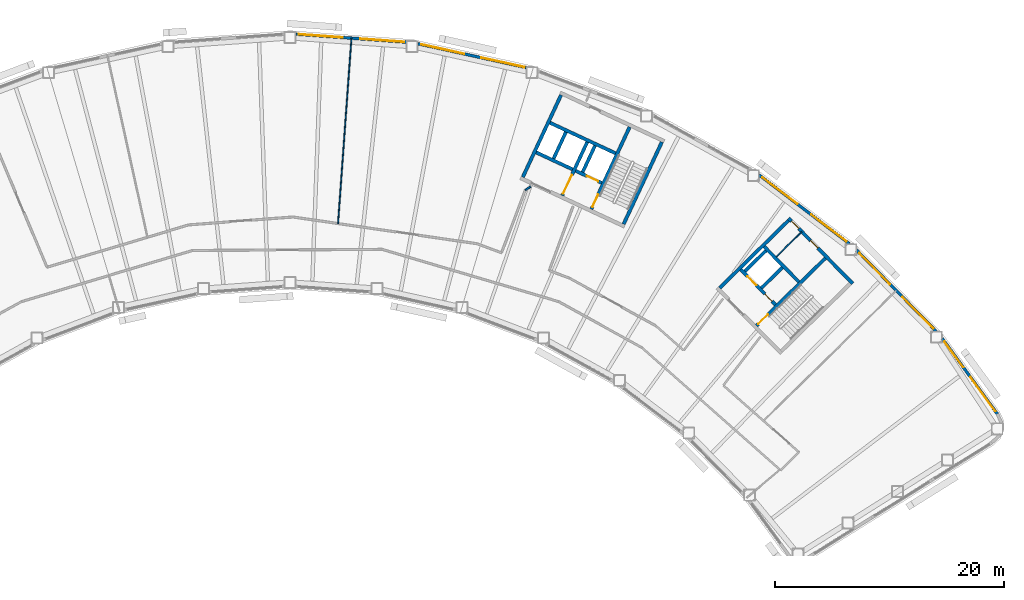
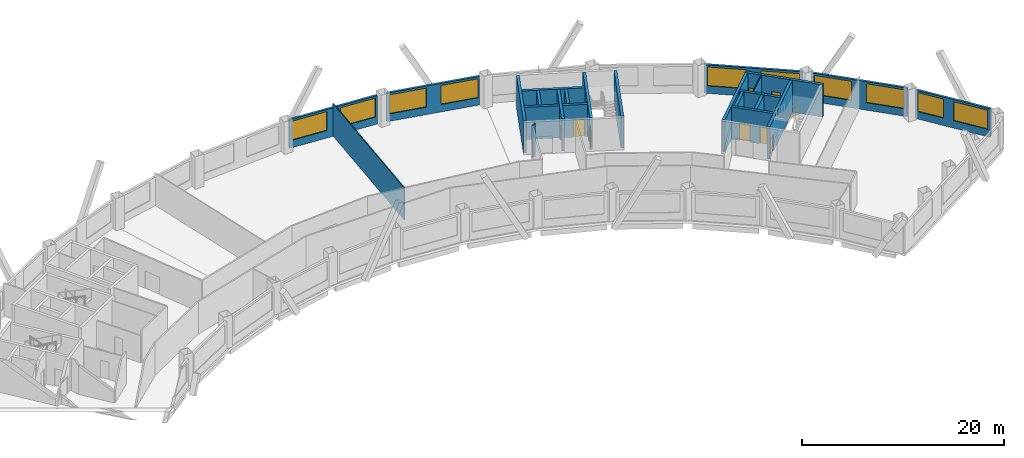
# One storey, part 7 of 11: 24 walls, 10 windows, 8 doors, 18 openings.
"""IFC4 building model written with IfcOpenShell, lengths in metres."""

from ifc_helpers import new_model, si_unit, direction, frame, frame_2d, origin, place, context, subcontext, project, spatial, rectangle, extrude, material, layer, layer_set, type_object, element, fill, save


model = new_model("IFC4")

# Units and contexts
model_context = context("Model", 3, precision=1e-05, world=origin(), true_north=direction((0.0, 1.0)))
body_context = subcontext(model_context, "Body", "Model", "MODEL_VIEW")
ifc_project = project(units=[si_unit("LENGTHUNIT", "METRE"), si_unit("AREAUNIT", "SQUARE_METRE"), si_unit("VOLUMEUNIT", "CUBIC_METRE"), si_unit("PLANEANGLEUNIT", "RADIAN"), si_unit("MASSUNIT", "GRAM", prefix="KILO")], contexts=[model_context])

# Site, building, storey
site_placement = place(None, origin())
site = spatial("IfcSite", under=ifc_project, at=site_placement, CompositionType="ELEMENT")
building_placement = place(site_placement, origin())
building = spatial("IfcBuilding", under=site, at=building_placement, Name="Tuul Gate Civic Tower", CompositionType="ELEMENT")
storey_placement = place(building_placement, frame((0.0, 0.0, 146.60009765625)))
storey = spatial("IfcBuildingStorey", under=building, at=storey_placement, Name="Level 33", CompositionType="ELEMENT", Elevation=146.60009765625)

# Wall, openings, doors
ifc_material_1 = material(Name="Concrete C50/60", Category="concrete")
ifc_layer_1 = layer(ifc_material_1, 0.300048828125)
ifc_layer_set_1 = layer_set([ifc_layer_1], Name="Concrete C50/60")
wall_type_1 = type_object("IfcWallType", Name="Core wall C50/60", PredefinedType="SHEAR", material=ifc_layer_set_1)
wall_1_placement = place(storey_placement, frame((47.701904296875, -14.079833984375, 0.0), z_axis=(0.0, 0.0, 1.0), x_axis=(-0.700002721075, 0.714140175657, 0.0)))
wall_1 = element("IfcWall", 1, at=wall_1_placement, inside=storey, type_object=wall_type_1, Name="Core wall", PredefinedType="SHEAR", context=body_context, shape_type="SweptSolid", body=[
    extrude(rectangle(XDim=4.300048828125, YDim=0.300048828125, at=frame_2d((2.14990234375, 0.0))), origin(), (0.0, 0.0, 1.0), 3.89990234375),
])
opening_1_placement = place(wall_1_placement, frame((0.425048828125, 0.0, 0.0)))
opening_1 = element("IfcOpeningElement", 2, at=opening_1_placement, cuts=wall_1, Name="Opening FB-E1A1", PredefinedType="OPENING", context=body_context, shape_type="SweptSolid", body=[
    extrude(rectangle(XDim=0.89990234375, YDim=2.10009765625, at=frame_2d((0.449951171875, 1.050048828125))), frame((0.0, 0.16015625, 0.0), z_axis=(0.0, -1.0, 0.0), x_axis=(1.0, 0.0, 0.0)), (0.0, 0.0, 1.0), 0.320068359375),
])
opening_2_placement = place(wall_1_placement, frame((2.375, 0.0, 0.0)))
opening_2 = element("IfcOpeningElement", 3, at=opening_2_placement, cuts=wall_1, Name="Opening LD-M3", PredefinedType="OPENING", context=body_context, shape_type="SweptSolid", body=[
    extrude(rectangle(XDim=1.10009765625, YDim=2.10009765625, at=frame_2d((0.550048828125, 1.050048828125))), frame((0.0, 0.16015625, 0.0), z_axis=(0.0, -1.0, 0.0), x_axis=(1.0, 0.0, 0.0)), (0.0, 0.0, 1.0), 0.320068359375),
])
ifc_material_2 = material(Name="Stainless steel", Category="steel")
door_type_1 = type_object("IfcDoorType", Name="Landing door", OperationType="DOUBLE_DOOR_SLIDING", PredefinedType="DOOR", material=ifc_material_2)
door_1_placement = place(opening_2_placement, origin())
door_1 = element("IfcDoor", 4, at=door_1_placement, inside=storey, type_object=door_type_1, Name="Mid-rise lift M3 landing door", OperationType="DOUBLE_DOOR_SLIDING", OverallHeight=2.10009765625, OverallWidth=1.10009765625, PredefinedType="DOOR", context=body_context, shape_type="SweptSolid", body=[
    extrude(rectangle(XDim=1.10009765625, YDim=2.10009765625, at=frame_2d((0.550048828125, 1.050048828125))), frame((0.0, 0.02490234375, 0.0), z_axis=(0.0, -1.0, 0.0), x_axis=(1.0, 0.0, 0.0)), (0.0, 0.0, 1.0), 0.050048828125),
])
fill(opening_2, door_1)
ifc_material_3 = material(Name="Steel", Category="steel")
door_type_2 = type_object("IfcDoorType", Name="Store door", OperationType="NOTDEFINED", PredefinedType="DOOR", material=ifc_material_3)
door_2_placement = place(opening_1_placement, frame((0.89990234375, 0.0, 0.0), z_axis=(0.0, 0.0, 1.0), x_axis=(-1.0, 0.0, 0.0)))
door_2 = element("IfcDoor", 5, at=door_2_placement, inside=storey, type_object=door_type_2, Name="Store door E1A1", OperationType="SINGLE_SWING_RIGHT", OverallHeight=2.10009765625, OverallWidth=0.89990234375, PredefinedType="DOOR", context=body_context, shape_type="SweptSolid", body=[
    extrude(rectangle(XDim=0.89990234375, YDim=2.10009765625, at=frame_2d((0.449951171875, 1.050048828125))), frame((0.0, 0.02490234375, 0.0), z_axis=(0.0, -1.0, 0.0), x_axis=(1.0, 0.0, 0.0)), (0.0, 0.0, 1.0), 0.050048828125),
])
fill(opening_1, door_2)

# Wall
wall_2_placement = place(storey_placement, frame((49.737060546875, -12.0849609375, 0.0), z_axis=(0.0, 0.0, 1.0), x_axis=(-0.700002721075, 0.714140175657, 0.0)))
element("IfcWall", 6, at=wall_2_placement, inside=storey, type_object=wall_type_1, Name="Core wall", PredefinedType="SHEAR", context=body_context, shape_type="SweptSolid", body=[
    extrude(rectangle(XDim=4.300048828125, YDim=0.300048828125, at=frame_2d((2.14990234375, 0.0))), origin(), (0.0, 0.0, 1.0), 3.89990234375),
])

# Wall, openings, doors
wall_3_placement = place(storey_placement, frame((54.43798828125, -12.23779296875, 0.0), z_axis=(0.0, 0.0, 1.0), x_axis=(-0.700021979774, 0.714121297703, 0.0)))
wall_3 = element("IfcWall", 7, at=wall_3_placement, inside=storey, type_object=wall_type_1, Name="Core wall", PredefinedType="SHEAR", context=body_context, shape_type="SweptSolid", body=[
    extrude(rectangle(XDim=8.0, YDim=0.300048828125, at=frame_2d((4.0, 0.0))), origin(), (0.0, 0.0, 1.0), 3.89990234375),
])
opening_3_placement = place(wall_3_placement, frame((4.34375, 0.0, 0.0)))
opening_3 = element("IfcOpeningElement", 8, at=opening_3_placement, cuts=wall_3, Name="Opening L-D13", PredefinedType="OPENING", context=body_context, shape_type="SweptSolid", body=[
    extrude(rectangle(XDim=0.89990234375, YDim=2.10009765625, at=frame_2d((0.449951171875, 1.050048828125))), frame((0.0, 0.16015625, 0.0), z_axis=(0.0, -1.0, 0.0), x_axis=(1.0, 0.0, 0.0)), (0.0, 0.0, 1.0), 0.320068359375),
])
opening_4_placement = place(wall_3_placement, frame((6.71875, 0.0, 0.0)))
opening_4 = element("IfcOpeningElement", 9, at=opening_4_placement, cuts=wall_3, Name="Opening L-D14", PredefinedType="OPENING", context=body_context, shape_type="SweptSolid", body=[
    extrude(rectangle(XDim=0.89990234375, YDim=2.10009765625, at=frame_2d((0.449951171875, 1.050048828125))), frame((0.0, 0.16015625, 0.0), z_axis=(0.0, -1.0, 0.0), x_axis=(1.0, 0.0, 0.0)), (0.0, 0.0, 1.0), 0.320068359375),
])
ifc_material_4 = material(Name="Timber door leaf", Category="wood")
door_type_3 = type_object("IfcDoorType", Name="Door D09", OperationType="NOTDEFINED", PredefinedType="DOOR", material=ifc_material_4)
door_3_placement = place(opening_3_placement, origin())
door_3 = element("IfcDoor", 10, at=door_3_placement, inside=storey, type_object=door_type_3, Name="Door L-D13", OperationType="SINGLE_SWING_LEFT", OverallHeight=2.10009765625, OverallWidth=0.89990234375, PredefinedType="DOOR", context=body_context, shape_type="SweptSolid", body=[
    extrude(rectangle(XDim=0.89990234375, YDim=2.10009765625, at=frame_2d((0.449951171875, 1.050048828125))), frame((0.0, 0.02490234375, 0.0), z_axis=(0.0, -1.0, 0.0), x_axis=(1.0, 0.0, 0.0)), (0.0, 0.0, 1.0), 0.050048828125),
])
fill(opening_3, door_3)
door_4_placement = place(opening_4_placement, origin())
door_4 = element("IfcDoor", 11, at=door_4_placement, inside=storey, type_object=door_type_3, Name="Door L-D14", OperationType="SINGLE_SWING_LEFT", OverallHeight=2.10009765625, OverallWidth=0.89990234375, PredefinedType="DOOR", context=body_context, shape_type="SweptSolid", body=[
    extrude(rectangle(XDim=0.89990234375, YDim=2.10009765625, at=frame_2d((0.449951171875, 1.050048828125))), frame((0.0, 0.02490234375, 0.0), z_axis=(0.0, -1.0, 0.0), x_axis=(1.0, 0.0, 0.0)), (0.0, 0.0, 1.0), 0.050048828125),
])
fill(opening_4, door_4)

# Wall, opening, door
wall_4_placement = place(storey_placement, frame((46.05712890625, -15.902099609375, 0.0), z_axis=(0.0, 0.0, 1.0), x_axis=(0.714134086973, 0.700008932674, 0.0)))
wall_4 = element("IfcWall", 12, at=wall_4_placement, inside=storey, type_object=wall_type_1, Name="Core wall", PredefinedType="SHEAR", context=body_context, shape_type="SweptSolid", body=[
    extrude(rectangle(XDim=8.400146484375, YDim=0.300048828125, at=frame_2d((4.2001953125, 0.0))), origin(), (0.0, 0.0, 1.0), 3.89990234375),
])
opening_5_placement = place(wall_4_placement, frame((0.199951171875, 0.0, 0.0)))
opening_5 = element("IfcOpeningElement", 13, at=opening_5_placement, cuts=wall_4, Name="Opening SD-ST-3", PredefinedType="OPENING", context=body_context, shape_type="SweptSolid", body=[
    extrude(rectangle(XDim=1.199951171875, YDim=2.10009765625, at=frame_2d((0.60009765625, 1.050048828125))), frame((0.0, 0.16015625, 0.0), z_axis=(0.0, -1.0, 0.0), x_axis=(1.0, 0.0, 0.0)), (0.0, 0.0, 1.0), 0.320068359375),
])
ifc_material_5 = material(Name="Steel", Category="steel")
door_type_4 = type_object("IfcDoorType", Name="Stair door", OperationType="NOTDEFINED", PredefinedType="DOOR", material=ifc_material_5)
door_5_placement = place(opening_5_placement, origin())
door_5 = element("IfcDoor", 14, at=door_5_placement, inside=storey, type_object=door_type_4, Name="Stair door ST-3", OperationType="SINGLE_SWING_LEFT", OverallHeight=2.10009765625, OverallWidth=1.199951171875, PredefinedType="DOOR", context=body_context, shape_type="SweptSolid", body=[
    extrude(rectangle(XDim=1.199951171875, YDim=2.10009765625, at=frame_2d((0.60009765625, 1.050048828125))), frame((0.0, 0.02490234375, 0.0), z_axis=(0.0, -1.0, 0.0), x_axis=(1.0, 0.0, 0.0)), (0.0, 0.0, 1.0), 0.050048828125),
])
fill(opening_5, door_5)

# Walls
wall_5_placement = place(storey_placement, frame((46.47900390625, -12.617919921875, 0.0), z_axis=(0.0, 0.0, 1.0), x_axis=(0.71410944159, 0.700034074479, 0.0)))
element("IfcWall", 15, at=wall_5_placement, inside=storey, type_object=wall_type_1, Name="Core wall", PredefinedType="SHEAR", context=body_context, shape_type="SweptSolid", body=[
    extrude(rectangle(XDim=2.5498046875, YDim=0.300048828125, at=frame_2d((1.27490234375, 0.0))), origin(), (0.0, 0.0, 1.0), 3.89990234375),
])
wall_6_placement = place(storey_placement, frame((45.0439453125, -11.154052734375, 0.0), z_axis=(0.0, 0.0, 1.0), x_axis=(0.714108498262, 0.700035036773, 0.0)))
element("IfcWall", 16, at=wall_6_placement, inside=storey, type_object=wall_type_1, Name="Core wall", PredefinedType="SHEAR", context=body_context, shape_type="SweptSolid", body=[
    extrude(rectangle(XDim=2.550048828125, YDim=0.300048828125, at=frame_2d((1.27490234375, 0.0))), origin(), (0.0, 0.0, 1.0), 3.89990234375),
])
wall_7_placement = place(storey_placement, frame((42.837158203125, -12.616943359375, 0.0), z_axis=(0.0, 0.0, 1.0), x_axis=(0.714119844755, 0.700023461983, 0.0)))
element("IfcWall", 17, at=wall_7_placement, inside=storey, type_object=wall_type_1, Name="Core wall", PredefinedType="SHEAR", context=body_context, shape_type="SweptSolid", body=[
    extrude(rectangle(XDim=8.39990234375, YDim=0.300048828125, at=frame_2d((4.199951171875, 0.0))), origin(), (0.0, 0.0, 1.0), 3.89990234375),
])

# Wall, opening, door
wall_8_placement = place(storey_placement, frame((32.545654296875, -3.456787109375, 0.0), z_axis=(0.0, 0.0, 1.0), x_axis=(-0.906300357825, 0.42263419337, 0.0)))
wall_8 = element("IfcWall", 18, at=wall_8_placement, inside=storey, type_object=wall_type_1, Name="Core wall", PredefinedType="SHEAR", context=body_context, shape_type="SweptSolid", body=[
    extrude(rectangle(XDim=2.500244140625, YDim=0.300048828125, at=frame_2d((1.25, 0.0))), origin(), (0.0, 0.0, 1.0), 3.89990234375),
])
opening_6_placement = place(wall_8_placement, frame((0.324951171875, 0.0, 0.0)))
opening_6 = element("IfcOpeningElement", 19, at=opening_6_placement, cuts=wall_8, Name="Opening LD-FF-2", PredefinedType="OPENING", context=body_context, shape_type="SweptSolid", body=[
    extrude(rectangle(XDim=1.10009765625, YDim=2.10009765625, at=frame_2d((0.550048828125, 1.050048828125))), frame((0.0, 0.16015625, 0.0), z_axis=(0.0, -1.0, 0.0), x_axis=(1.0, 0.0, 0.0)), (0.0, 0.0, 1.0), 0.320068359375),
])
door_6_placement = place(opening_6_placement, origin())
door_6 = element("IfcDoor", 20, at=door_6_placement, inside=storey, type_object=door_type_1, Name="Fire-fighting lift FF-2 landing door", OperationType="DOUBLE_DOOR_SLIDING", OverallHeight=2.10009765625, OverallWidth=1.10009765625, PredefinedType="DOOR", context=body_context, shape_type="SweptSolid", body=[
    extrude(rectangle(XDim=1.10009765625, YDim=2.10009765625, at=frame_2d((0.550048828125, 1.050048828125))), frame((0.0, 0.02490234375, 0.0), z_axis=(0.0, -1.0, 0.0), x_axis=(1.0, 0.0, 0.0)), (0.0, 0.0, 1.0), 0.050048828125),
])
fill(opening_6, door_6)

# Walls
wall_9_placement = place(storey_placement, frame((30.0078125, -2.2734375, 0.0), z_axis=(0.0, 0.0, 1.0), x_axis=(-0.90630071767, 0.422633421716, 0.0)))
element("IfcWall", 21, at=wall_9_placement, inside=storey, type_object=wall_type_1, Name="Core wall", PredefinedType="SHEAR", context=body_context, shape_type="SweptSolid", body=[
    extrude(rectangle(XDim=3.5, YDim=0.300048828125, at=frame_2d((1.75, 0.0))), origin(), (0.0, 0.0, 1.0), 3.89990234375),
])
wall_10_placement = place(storey_placement, frame((33.75, -0.873779296875, 0.0), z_axis=(0.0, 0.0, 1.0), x_axis=(-0.906300917592, 0.422632992999, 0.0)))
element("IfcWall", 22, at=wall_10_placement, inside=storey, type_object=wall_type_1, Name="Core wall", PredefinedType="SHEAR", context=body_context, shape_type="SweptSolid", body=[
    extrude(rectangle(XDim=6.300048828125, YDim=0.300048828125, at=frame_2d((3.14990234375, 0.0))), origin(), (0.0, 0.0, 1.0), 3.89990234375),
])
wall_11_placement = place(storey_placement, frame((34.455810546875, -7.05078125, 0.0), z_axis=(0.0, 0.0, 1.0), x_axis=(0.422570768258, 0.906329932096, 0.0)))
element("IfcWall", 23, at=wall_11_placement, inside=storey, type_object=wall_type_1, Name="Core wall", PredefinedType="SHEAR", context=body_context, shape_type="SweptSolid", body=[
    extrude(rectangle(XDim=7.900146484375, YDim=0.300048828125, at=frame_2d((3.9501953125, 0.0))), origin(), (0.0, 0.0, 1.0), 3.89990234375),
])

# Wall, opening, door
wall_12_placement = place(storey_placement, frame((31.646240234375, -5.740478515625, 0.0), z_axis=(0.0, 0.0, 1.0), x_axis=(0.422582604137, 0.906324413596, 0.0)))
wall_12 = element("IfcWall", 24, at=wall_12_placement, inside=storey, type_object=wall_type_1, Name="Core wall", PredefinedType="SHEAR", context=body_context, shape_type="SweptSolid", body=[
    extrude(rectangle(XDim=7.89990234375, YDim=0.300048828125, at=frame_2d((3.949951171875, 0.0))), origin(), (0.0, 0.0, 1.0), 3.89990234375),
])
opening_7_placement = place(wall_12_placement, frame((0.199951171875, 0.0, 0.0)))
opening_7 = element("IfcOpeningElement", 25, at=opening_7_placement, cuts=wall_12, Name="Opening SD-ST-4", PredefinedType="OPENING", context=body_context, shape_type="SweptSolid", body=[
    extrude(rectangle(XDim=1.199951171875, YDim=2.10009765625, at=frame_2d((0.60009765625, 1.050048828125))), frame((0.0, 0.16015625, 0.0), z_axis=(0.0, -1.0, 0.0), x_axis=(1.0, 0.0, 0.0)), (0.0, 0.0, 1.0), 0.320068359375),
])
door_7_placement = place(opening_7_placement, origin())
door_7 = element("IfcDoor", 26, at=door_7_placement, inside=storey, type_object=door_type_4, Name="Stair door ST-4", OperationType="SINGLE_SWING_LEFT", OverallHeight=2.10009765625, OverallWidth=1.199951171875, PredefinedType="DOOR", context=body_context, shape_type="SweptSolid", body=[
    extrude(rectangle(XDim=1.199951171875, YDim=2.10009765625, at=frame_2d((0.60009765625, 1.050048828125))), frame((0.0, 0.02490234375, 0.0), z_axis=(0.0, -1.0, 0.0), x_axis=(1.0, 0.0, 0.0)), (0.0, 0.0, 1.0), 0.050048828125),
])
fill(opening_7, door_7)

# Wall
wall_13_placement = place(storey_placement, frame((30.886962890625, -2.517822265625, 0.0), z_axis=(0.0, 0.0, 1.0), x_axis=(0.422612891016, 0.906310291427, 0.0)))
element("IfcWall", 27, at=wall_13_placement, inside=storey, type_object=wall_type_1, Name="Core wall", PredefinedType="SHEAR", context=body_context, shape_type="SweptSolid", body=[
    extrude(rectangle(XDim=2.550048828125, YDim=0.300048828125, at=frame_2d((1.27490234375, 0.0))), origin(), (0.0, 0.0, 1.0), 3.89990234375),
])

# Wall, opening, door
wall_14_placement = place(storey_placement, frame((29.108642578125, -4.557373046875, 0.0), z_axis=(0.0, 0.0, 1.0), x_axis=(0.422566235356, 0.90633204552, 0.0)))
wall_14 = element("IfcWall", 28, at=wall_14_placement, inside=storey, type_object=wall_type_1, Name="Core wall", PredefinedType="SHEAR", context=body_context, shape_type="SweptSolid", body=[
    extrude(rectangle(XDim=5.150146484375, YDim=0.300048828125, at=frame_2d((2.5751953125, 0.0))), origin(), (0.0, 0.0, 1.0), 3.89990234375),
])
opening_8_placement = place(wall_14_placement, frame((0.175048828125, 0.0, 0.0)))
opening_8 = element("IfcOpeningElement", 29, at=opening_8_placement, cuts=wall_14, Name="Opening LB-E3-FLOBBY-1", PredefinedType="OPENING", context=body_context, shape_type="SweptSolid", body=[
    extrude(rectangle(XDim=1.800048828125, YDim=2.10009765625, at=frame_2d((0.89990234375, 1.050048828125))), frame((0.0, 0.16015625, 0.0), z_axis=(0.0, -1.0, 0.0), x_axis=(1.0, 0.0, 0.0)), (0.0, 0.0, 1.0), 0.320068359375),
])
ifc_material_6 = material(Name="Steel", Category="steel")
door_type_5 = type_object("IfcDoorType", Name="Lobby door", OperationType="DOUBLE_DOOR_SINGLE_SWING", PredefinedType="DOOR", material=ifc_material_6)
door_8_placement = place(opening_8_placement, frame((1.800048828125, 0.0, 0.0), z_axis=(0.0, 0.0, 1.0), x_axis=(-1.0, 0.0, 0.0)))
door_8 = element("IfcDoor", 30, at=door_8_placement, inside=storey, type_object=door_type_5, Name="Lobby door E3-FLOBBY", OperationType="DOUBLE_DOOR_SINGLE_SWING", OverallHeight=2.10009765625, OverallWidth=1.800048828125, PredefinedType="DOOR", context=body_context, shape_type="SweptSolid", body=[
    extrude(rectangle(XDim=1.800048828125, YDim=2.10009765625, at=frame_2d((0.900146484375, 1.050048828125))), frame((0.0, 0.02490234375, 0.0), z_axis=(0.0, -1.0, 0.0), x_axis=(1.0, 0.0, 0.0)), (0.0, 0.0, 1.0), 0.050048828125),
])
fill(opening_8, door_8)

# Walls
wall_15_placement = place(storey_placement, frame((28.349365234375, -1.33447265625, 0.0), z_axis=(0.0, 0.0, 1.0), x_axis=(0.422612891016, 0.906310291427, 0.0)))
element("IfcWall", 31, at=wall_15_placement, inside=storey, type_object=wall_type_1, Name="Core wall", PredefinedType="SHEAR", context=body_context, shape_type="SweptSolid", body=[
    extrude(rectangle(XDim=2.550048828125, YDim=0.300048828125, at=frame_2d((1.27490234375, 0.0))), origin(), (0.0, 0.0, 1.0), 3.89990234375),
])
wall_16_placement = place(storey_placement, frame((25.66455078125, -2.951416015625, 0.0), z_axis=(0.0, 0.0, 1.0), x_axis=(0.422582604137, 0.906324413596, 0.0)))
element("IfcWall", 32, at=wall_16_placement, inside=storey, type_object=wall_type_1, Name="Core wall", PredefinedType="SHEAR", context=body_context, shape_type="SweptSolid", body=[
    extrude(rectangle(XDim=7.89990234375, YDim=0.300048828125, at=frame_2d((3.949951171875, 0.0))), origin(), (0.0, 0.0, 1.0), 3.89990234375),
])
ifc_material_7 = material(Name="Gypsum board partition")
ifc_layer_2 = layer(ifc_material_7, 0.14990234375)
ifc_layer_set_2 = layer_set([ifc_layer_2], Name="Gypsum board partition")
wall_type_2 = type_object("IfcWallType", Name="Corridor wall P150", PredefinedType="PARTITIONING", material=ifc_layer_set_2)
wall_17_placement = place(storey_placement, frame((25.884033203125, -4.08251953125, 0.0), z_axis=(0.0, 0.0, 1.0), x_axis=(0.823480373331, 0.567344758272, 0.0)))
element("IfcWall", 33, at=wall_17_placement, inside=storey, type_object=wall_type_2, Name="p015", PredefinedType="PARTITIONING", context=body_context, shape_type="SweptSolid", body=[
    extrude(rectangle(XDim=0.55859375, YDim=0.14990234375, at=frame_2d((0.279296875, 0.0))), origin(), (0.0, 0.0, 1.0), 3.89990234375),
])

# Wall, openings, windows
ifc_material_8 = material(Name="Precast concrete C40/50", Category="concrete")
ifc_layer_3 = layer(ifc_material_8, 0.25)
ifc_layer_set_3 = layer_set([ifc_layer_3], Name="Precast concrete C40/50")
wall_type_3 = type_object("IfcWallType", Name="External wall", PredefinedType="STANDARD", material=ifc_layer_set_3)
wall_18_placement = place(storey_placement, frame((67.06298828125, -23.61376953125, 0.0), z_axis=(0.0, 0.0, 1.0), x_axis=(-0.589745261817, 0.807589330145, 0.0)))
wall_18 = element("IfcWall", 34, at=wall_18_placement, inside=storey, type_object=wall_type_3, Name="External wall", PredefinedType="STANDARD", context=body_context, shape_type="SweptSolid", body=[
    extrude(rectangle(XDim=8.167724609375, YDim=0.25, at=frame_2d((4.083984375, 0.0))), origin(), (0.0, 0.0, 1.0), 3.449951171875),
])
opening_9_placement = place(wall_18_placement, frame((0.30078125, 0.0, 0.89990234375)))
opening_9 = element("IfcOpeningElement", 35, at=opening_9_placement, cuts=wall_18, Name="Opening W21", PredefinedType="OPENING", context=body_context, shape_type="SweptSolid", body=[
    extrude(rectangle(XDim=3.699951171875, YDim=2.300048828125, at=frame_2d((1.85009765625, 1.14990234375))), frame((0.0, 0.135009765625, 0.0), z_axis=(0.0, -1.0, 0.0), x_axis=(1.0, 0.0, 0.0)), (0.0, 0.0, 1.0), 0.27001953125),
])
opening_10_placement = place(wall_18_placement, frame((5.052734375, 0.0, 0.89990234375)))
opening_10 = element("IfcOpeningElement", 36, at=opening_10_placement, cuts=wall_18, Name="Opening W23", PredefinedType="OPENING", context=body_context, shape_type="SweptSolid", body=[
    extrude(rectangle(XDim=2.800048828125, YDim=2.300048828125, at=frame_2d((1.39990234375, 1.14990234375))), frame((0.0, 0.135009765625, 0.0), z_axis=(0.0, -1.0, 0.0), x_axis=(1.0, 0.0, 0.0)), (0.0, 0.0, 1.0), 0.27001953125),
])
ifc_material_9 = material(Name="Glass", Category="glass")
window_type_1 = type_object("IfcWindowType", Name="Window W21 3700 x 2300", PartitioningType="SINGLE_PANEL", PredefinedType="WINDOW", material=ifc_material_9)
window_1_placement = place(opening_9_placement, origin())
window_1 = element("IfcWindow", 37, at=window_1_placement, inside=storey, type_object=window_type_1, Name="Window", OverallHeight=2.300048828125, OverallWidth=3.699951171875, PartitioningType="SINGLE_PANEL", PredefinedType="WINDOW", context=body_context, shape_type="SweptSolid", body=[
    extrude(rectangle(XDim=3.699951171875, YDim=2.300048828125, at=frame_2d((1.85009765625, 1.14990234375))), frame((0.0, 0.030029296875, 0.0), z_axis=(0.0, -1.0, 0.0), x_axis=(1.0, 0.0, 0.0)), (0.0, 0.0, 1.0), 0.06005859375),
])
fill(opening_9, window_1)
ifc_material_10 = material(Name="Glass", Category="glass")
window_type_2 = type_object("IfcWindowType", Name="Window W23 2800 x 2300", PartitioningType="SINGLE_PANEL", PredefinedType="WINDOW", material=ifc_material_10)
window_2_placement = place(opening_10_placement, origin())
window_2 = element("IfcWindow", 38, at=window_2_placement, inside=storey, type_object=window_type_2, Name="Window", OverallHeight=2.300048828125, OverallWidth=2.800048828125, PartitioningType="SINGLE_PANEL", PredefinedType="WINDOW", context=body_context, shape_type="SweptSolid", body=[
    extrude(rectangle(XDim=2.800048828125, YDim=2.300048828125, at=frame_2d((1.39990234375, 1.14990234375))), frame((0.0, 0.030029296875, 0.0), z_axis=(0.0, -1.0, 0.0), x_axis=(1.0, 0.0, 0.0)), (0.0, 0.0, 1.0), 0.06005859375),
])
fill(opening_10, window_2)

wall_19_placement = place(storey_placement, frame((61.7109375, -16.384033203125, 0.0), z_axis=(0.0, 0.0, 1.0), x_axis=(-0.700039889753, 0.714103740891, 0.0)))
wall_19 = element("IfcWall", 39, at=wall_19_placement, inside=storey, type_object=wall_type_3, Name="External wall", PredefinedType="STANDARD", context=body_context, shape_type="SweptSolid", body=[
    extrude(rectangle(XDim=9.912353515625, YDim=0.25, at=frame_2d((4.9560546875, 0.0))), origin(), (0.0, 0.0, 1.0), 3.449951171875),
])
opening_11_placement = place(wall_19_placement, frame((0.3466796875, 0.0, 0.89990234375)))
opening_11 = element("IfcOpeningElement", 40, at=opening_11_placement, cuts=wall_19, Name="Opening W22", PredefinedType="OPENING", context=body_context, shape_type="SweptSolid", body=[
    extrude(rectangle(XDim=3.85009765625, YDim=2.300048828125, at=frame_2d((1.925048828125, 1.14990234375))), frame((0.0, 0.135009765625, 0.0), z_axis=(0.0, -1.0, 0.0), x_axis=(1.0, 0.0, 0.0)), (0.0, 0.0, 1.0), 0.27001953125),
])
opening_12_placement = place(wall_19_placement, frame((5.7177734375, 0.0, 0.89990234375)))
opening_12 = element("IfcOpeningElement", 41, at=opening_12_placement, cuts=wall_19, Name="Opening W22", PredefinedType="OPENING", context=body_context, shape_type="SweptSolid", body=[
    extrude(rectangle(XDim=3.85009765625, YDim=2.300048828125, at=frame_2d((1.925048828125, 1.14990234375))), frame((0.0, 0.135009765625, 0.0), z_axis=(0.0, -1.0, 0.0), x_axis=(1.0, 0.0, 0.0)), (0.0, 0.0, 1.0), 0.27001953125),
])
ifc_material_11 = material(Name="Glass", Category="glass")
window_type_3 = type_object("IfcWindowType", Name="Window W22 3850 x 2300", PartitioningType="SINGLE_PANEL", PredefinedType="WINDOW", material=ifc_material_11)
window_3_placement = place(opening_11_placement, origin())
window_3 = element("IfcWindow", 42, at=window_3_placement, inside=storey, type_object=window_type_3, Name="Window", OverallHeight=2.300048828125, OverallWidth=3.85009765625, PartitioningType="SINGLE_PANEL", PredefinedType="WINDOW", context=body_context, shape_type="SweptSolid", body=[
    extrude(rectangle(XDim=3.85009765625, YDim=2.300048828125, at=frame_2d((1.925048828125, 1.14990234375))), frame((0.0, 0.030029296875, 0.0), z_axis=(0.0, -1.0, 0.0), x_axis=(1.0, 0.0, 0.0)), (0.0, 0.0, 1.0), 0.06005859375),
])
fill(opening_11, window_3)
window_4_placement = place(opening_12_placement, origin())
window_4 = element("IfcWindow", 43, at=window_4_placement, inside=storey, type_object=window_type_3, Name="Window", OverallHeight=2.300048828125, OverallWidth=3.85009765625, PartitioningType="SINGLE_PANEL", PredefinedType="WINDOW", context=body_context, shape_type="SweptSolid", body=[
    extrude(rectangle(XDim=3.85009765625, YDim=2.300048828125, at=frame_2d((1.925048828125, 1.14990234375))), frame((0.0, 0.030029296875, 0.0), z_axis=(0.0, -1.0, 0.0), x_axis=(1.0, 0.0, 0.0)), (0.0, 0.0, 1.0), 0.06005859375),
])
fill(opening_12, window_4)

wall_20_placement = place(storey_placement, frame((54.15087890625, -8.759033203125, 0.0), z_axis=(0.0, 0.0, 1.0), x_axis=(-0.795610041496, 0.605809096887, 0.0)))
wall_20 = element("IfcWall", 44, at=wall_20_placement, inside=storey, type_object=wall_type_3, Name="External wall", PredefinedType="STANDARD", context=body_context, shape_type="SweptSolid", body=[
    extrude(rectangle(XDim=9.89794921875, YDim=0.25, at=frame_2d((4.948974609375, 0.0))), origin(), (0.0, 0.0, 1.0), 3.449951171875),
])
opening_13_placement = place(wall_20_placement, frame((0.3291015625, 0.0, 0.89990234375)))
opening_13 = element("IfcOpeningElement", 45, at=opening_13_placement, cuts=wall_20, Name="Opening W22", PredefinedType="OPENING", context=body_context, shape_type="SweptSolid", body=[
    extrude(rectangle(XDim=3.85009765625, YDim=2.300048828125, at=frame_2d((1.925048828125, 1.14990234375))), frame((0.0, 0.135009765625, 0.0), z_axis=(0.0, -1.0, 0.0), x_axis=(1.0, 0.0, 0.0)), (0.0, 0.0, 1.0), 0.27001953125),
])
opening_14_placement = place(wall_20_placement, frame((5.700439453125, 0.0, 0.89990234375)))
opening_14 = element("IfcOpeningElement", 46, at=opening_14_placement, cuts=wall_20, Name="Opening W22", PredefinedType="OPENING", context=body_context, shape_type="SweptSolid", body=[
    extrude(rectangle(XDim=3.85009765625, YDim=2.300048828125, at=frame_2d((1.925048828125, 1.14990234375))), frame((0.0, 0.135009765625, 0.0), z_axis=(0.0, -1.0, 0.0), x_axis=(1.0, 0.0, 0.0)), (0.0, 0.0, 1.0), 0.27001953125),
])
window_5_placement = place(opening_13_placement, origin())
window_5 = element("IfcWindow", 47, at=window_5_placement, inside=storey, type_object=window_type_3, Name="Window", OverallHeight=2.300048828125, OverallWidth=3.85009765625, PartitioningType="SINGLE_PANEL", PredefinedType="WINDOW", context=body_context, shape_type="SweptSolid", body=[
    extrude(rectangle(XDim=3.85009765625, YDim=2.300048828125, at=frame_2d((1.925048828125, 1.14990234375))), frame((0.0, 0.030029296875, 0.0), z_axis=(0.0, -1.0, 0.0), x_axis=(1.0, 0.0, 0.0)), (0.0, 0.0, 1.0), 0.06005859375),
])
fill(opening_13, window_5)
window_6_placement = place(opening_14_placement, origin())
window_6 = element("IfcWindow", 48, at=window_6_placement, inside=storey, type_object=window_type_3, Name="Window", OverallHeight=2.300048828125, OverallWidth=3.85009765625, PartitioningType="SINGLE_PANEL", PredefinedType="WINDOW", context=body_context, shape_type="SweptSolid", body=[
    extrude(rectangle(XDim=3.85009765625, YDim=2.300048828125, at=frame_2d((1.925048828125, 1.14990234375))), frame((0.0, 0.030029296875, 0.0), z_axis=(0.0, -1.0, 0.0), x_axis=(1.0, 0.0, 0.0)), (0.0, 0.0, 1.0), 0.06005859375),
])
fill(opening_14, window_6)

wall_21_placement = place(storey_placement, frame((25.950927734375, 6.60546875, 0.0), z_axis=(0.0, 0.0, 1.0), x_axis=(-0.976568733391, 0.215205736364, 0.0)))
wall_21 = element("IfcWall", 49, at=wall_21_placement, inside=storey, type_object=wall_type_3, Name="External wall", PredefinedType="STANDARD", context=body_context, shape_type="SweptSolid", body=[
    extrude(rectangle(XDim=9.654296875, YDim=0.25, at=frame_2d((4.8271484375, 0.0))), origin(), (0.0, 0.0, 1.0), 3.449951171875),
])
opening_15_placement = place(wall_21_placement, frame((0.145263671875, 0.0, 0.89990234375)))
opening_15 = element("IfcOpeningElement", 50, at=opening_15_placement, cuts=wall_21, Name="Opening W22", PredefinedType="OPENING", context=body_context, shape_type="SweptSolid", body=[
    extrude(rectangle(XDim=3.85009765625, YDim=2.300048828125, at=frame_2d((1.925048828125, 1.14990234375))), frame((0.0, 0.135009765625, 0.0), z_axis=(0.0, -1.0, 0.0), x_axis=(1.0, 0.0, 0.0)), (0.0, 0.0, 1.0), 0.27001953125),
])
opening_16_placement = place(wall_21_placement, frame((5.5166015625, 0.0, 0.89990234375)))
opening_16 = element("IfcOpeningElement", 51, at=opening_16_placement, cuts=wall_21, Name="Opening W22", PredefinedType="OPENING", context=body_context, shape_type="SweptSolid", body=[
    extrude(rectangle(XDim=3.85009765625, YDim=2.300048828125, at=frame_2d((1.925048828125, 1.14990234375))), frame((0.0, 0.135009765625, 0.0), z_axis=(0.0, -1.0, 0.0), x_axis=(1.0, 0.0, 0.0)), (0.0, 0.0, 1.0), 0.27001953125),
])
window_7_placement = place(opening_15_placement, origin())
window_7 = element("IfcWindow", 52, at=window_7_placement, inside=storey, type_object=window_type_3, Name="Window", OverallHeight=2.300048828125, OverallWidth=3.85009765625, PartitioningType="SINGLE_PANEL", PredefinedType="WINDOW", context=body_context, shape_type="SweptSolid", body=[
    extrude(rectangle(XDim=3.85009765625, YDim=2.300048828125, at=frame_2d((1.925048828125, 1.14990234375))), frame((0.0, 0.030029296875, 0.0), z_axis=(0.0, -1.0, 0.0), x_axis=(1.0, 0.0, 0.0)), (0.0, 0.0, 1.0), 0.06005859375),
])
fill(opening_15, window_7)
window_8_placement = place(opening_16_placement, origin())
window_8 = element("IfcWindow", 53, at=window_8_placement, inside=storey, type_object=window_type_3, Name="Window", OverallHeight=2.300048828125, OverallWidth=3.85009765625, PartitioningType="SINGLE_PANEL", PredefinedType="WINDOW", context=body_context, shape_type="SweptSolid", body=[
    extrude(rectangle(XDim=3.85009765625, YDim=2.300048828125, at=frame_2d((1.925048828125, 1.14990234375))), frame((0.0, 0.030029296875, 0.0), z_axis=(0.0, -1.0, 0.0), x_axis=(1.0, 0.0, 0.0)), (0.0, 0.0, 1.0), 0.06005859375),
])
fill(opening_16, window_8)

wall_22_placement = place(storey_placement, frame((15.52294921875, 8.822509765625, 0.0), z_axis=(0.0, 0.0, 1.0), x_axis=(-0.997386456692, 0.07225133914, 0.0)))
wall_22 = element("IfcWall", 54, at=wall_22_placement, inside=storey, type_object=wall_type_3, Name="External wall", PredefinedType="STANDARD", context=body_context, shape_type="SweptSolid", body=[
    extrude(rectangle(XDim=9.67431640625, YDim=0.25, at=frame_2d((4.837158203125, 0.0))), origin(), (0.0, 0.0, 1.0), 3.449951171875),
])
opening_17_placement = place(wall_22_placement, frame((0.203125, 0.0, 0.89990234375)))
opening_17 = element("IfcOpeningElement", 55, at=opening_17_placement, cuts=wall_22, Name="Opening W22", PredefinedType="OPENING", context=body_context, shape_type="SweptSolid", body=[
    extrude(rectangle(XDim=3.85009765625, YDim=2.300048828125, at=frame_2d((1.925048828125, 1.14990234375))), frame((0.0, 0.135009765625, 0.0), z_axis=(0.0, -1.0, 0.0), x_axis=(1.0, 0.0, 0.0)), (0.0, 0.0, 1.0), 0.27001953125),
])
opening_18_placement = place(wall_22_placement, frame((5.57421875, 0.0, 0.89990234375)))
opening_18 = element("IfcOpeningElement", 56, at=opening_18_placement, cuts=wall_22, Name="Opening W22", PredefinedType="OPENING", context=body_context, shape_type="SweptSolid", body=[
    extrude(rectangle(XDim=3.85009765625, YDim=2.300048828125, at=frame_2d((1.925048828125, 1.14990234375))), frame((0.0, 0.135009765625, 0.0), z_axis=(0.0, -1.0, 0.0), x_axis=(1.0, 0.0, 0.0)), (0.0, 0.0, 1.0), 0.27001953125),
])
window_9_placement = place(opening_17_placement, origin())
window_9 = element("IfcWindow", 57, at=window_9_placement, inside=storey, type_object=window_type_3, Name="Window", OverallHeight=2.300048828125, OverallWidth=3.85009765625, PartitioningType="SINGLE_PANEL", PredefinedType="WINDOW", context=body_context, shape_type="SweptSolid", body=[
    extrude(rectangle(XDim=3.85009765625, YDim=2.300048828125, at=frame_2d((1.925048828125, 1.14990234375))), frame((0.0, 0.030029296875, 0.0), z_axis=(0.0, -1.0, 0.0), x_axis=(1.0, 0.0, 0.0)), (0.0, 0.0, 1.0), 0.06005859375),
])
fill(opening_17, window_9)
window_10_placement = place(opening_18_placement, origin())
window_10 = element("IfcWindow", 58, at=window_10_placement, inside=storey, type_object=window_type_3, Name="Window", OverallHeight=2.300048828125, OverallWidth=3.85009765625, PartitioningType="SINGLE_PANEL", PredefinedType="WINDOW", context=body_context, shape_type="SweptSolid", body=[
    extrude(rectangle(XDim=3.85009765625, YDim=2.300048828125, at=frame_2d((1.925048828125, 1.14990234375))), frame((0.0, 0.030029296875, 0.0), z_axis=(0.0, -1.0, 0.0), x_axis=(1.0, 0.0, 0.0)), (0.0, 0.0, 1.0), 0.06005859375),
])
fill(opening_18, window_10)

# Walls
ifc_material_12 = material(Name="Gypsum board partition")
ifc_layer_4 = layer(ifc_material_12, 0.10009765625)
ifc_layer_set_4 = layer_set([ifc_layer_4], Name="Gypsum board partition")
wall_type_4 = type_object("IfcWallType", Name="Partition P100", PredefinedType="PARTITIONING", material=ifc_layer_set_4)
wall_23_placement = place(storey_placement, frame((9.551025390625, -6.998046875, 0.0), z_axis=(0.0, 0.0, 1.0), x_axis=(0.072252771604, 0.997386352922, 0.0)))
element("IfcWall", 59, at=wall_23_placement, inside=storey, type_object=wall_type_4, Name="p014", PredefinedType="PARTITIONING", context=body_context, shape_type="SweptSolid", body=[
    extrude(rectangle(XDim=16.2158203125, YDim=0.10009765625, at=frame_2d((8.10791015625, 0.0))), origin(), (0.0, 0.0, 1.0), 3.89990234375),
])
wall_24_placement = place(storey_placement, frame((47.787841796875, -9.882080078125, 0.0), z_axis=(0.0, 0.0, 1.0), x_axis=(0.714119924869, 0.700023380256, 0.0)))
element("IfcWall", 60, at=wall_24_placement, inside=storey, type_object=wall_type_4, Name="bE1-BAND-0", PredefinedType="PARTITIONING", context=body_context, shape_type="SweptSolid", body=[
    extrude(rectangle(XDim=3.10009765625, YDim=0.10009765625, at=frame_2d((1.550048828125, 0.0))), origin(), (0.0, 0.0, 1.0), 3.89990234375),
])

save(model, "model.ifc")
